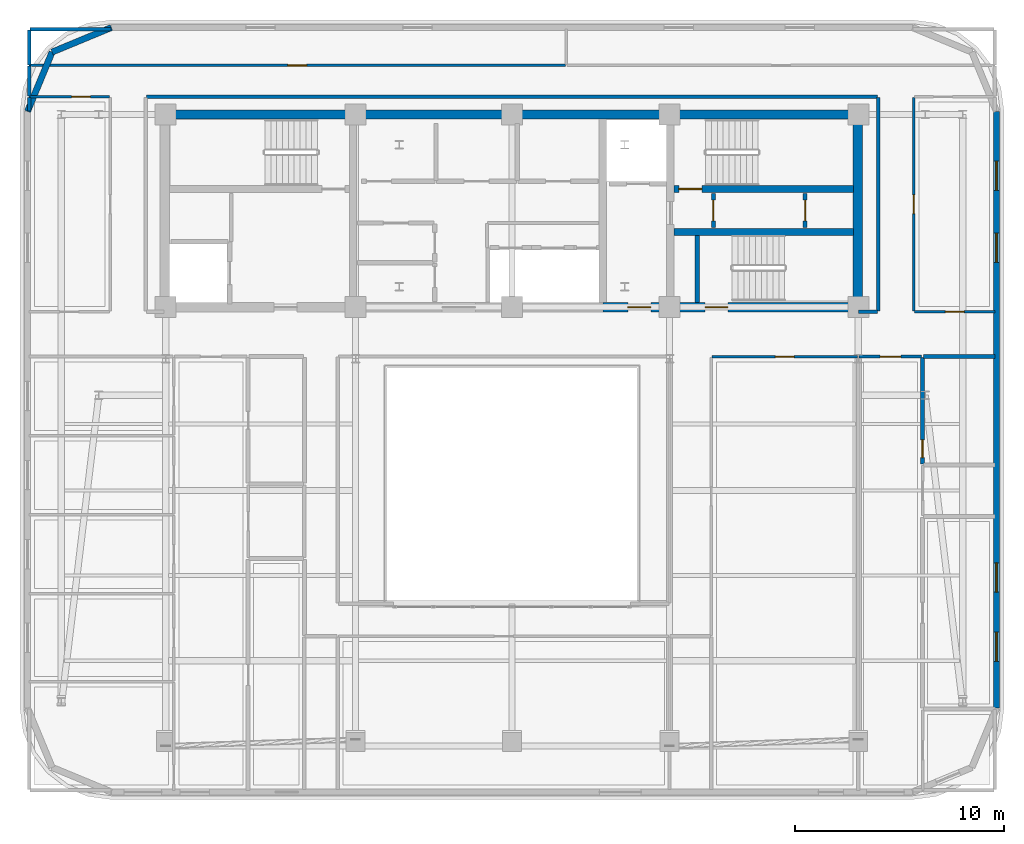
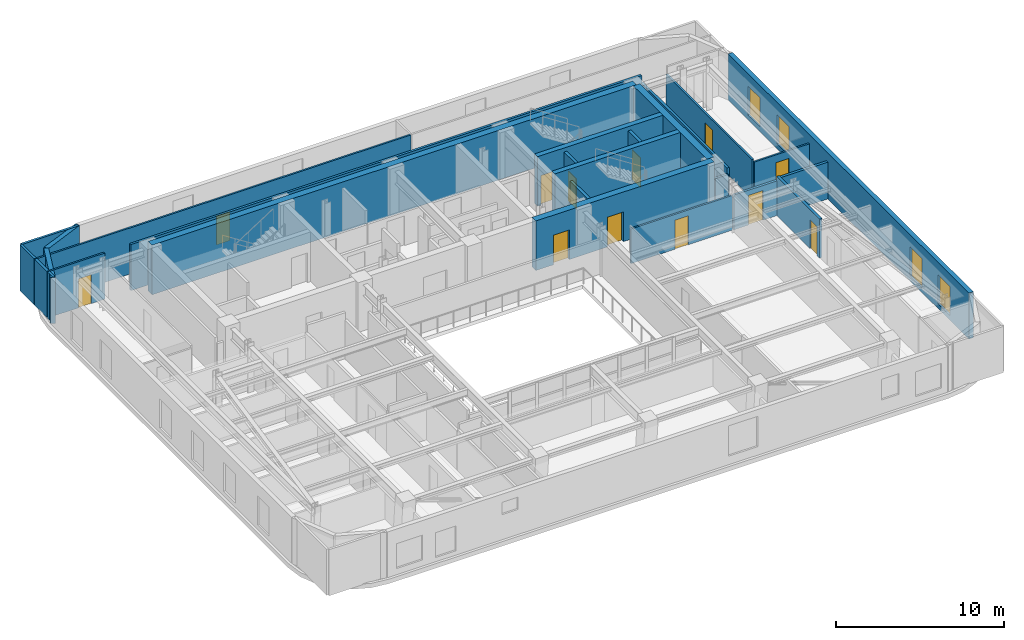
# One storey, part 9 of 14: 26 walls, 12 doors, 4 windows, 16 openings.
"""IFC4 building model written with IfcOpenShell, lengths in metres."""

from ifc_helpers import new_model, si_unit, direction, frame, frame_2d, origin, place, context, subcontext, project, spatial, rectangle, extrude, material, layer, layer_set, type_object, element, fill, save


model = new_model("IFC4")

# Units and contexts
model_context = context("Model", 3, precision=1e-05, world=origin(), true_north=direction((0.0, 1.0)))
body_context = subcontext(model_context, "Body", "Model", "MODEL_VIEW")
ifc_project = project(units=[si_unit("LENGTHUNIT", "METRE"), si_unit("AREAUNIT", "SQUARE_METRE"), si_unit("VOLUMEUNIT", "CUBIC_METRE"), si_unit("PLANEANGLEUNIT", "RADIAN"), si_unit("MASSUNIT", "GRAM", prefix="KILO")], contexts=[model_context])

# Site, building, storey
site_placement = place(None, origin())
site = spatial("IfcSite", under=ifc_project, at=site_placement, CompositionType="ELEMENT")
building_placement = place(site_placement, origin())
building = spatial("IfcBuilding", under=site, at=building_placement, Name="Zarnavel Station Tower", CompositionType="ELEMENT")
storey_placement = place(building_placement, frame((0.0, 0.0, 211.199951171875)))
storey = spatial("IfcBuildingStorey", under=building, at=storey_placement, Name="L57", CompositionType="ELEMENT", Elevation=211.199951171875)

# Wall, opening, door
ifc_material_1 = material(Name="Concrete C50/60", Category="concrete")
ifc_layer_1 = layer(ifc_material_1, 0.35009765625)
ifc_layer_set_1 = layer_set([ifc_layer_1], Name="CW_350")
wall_type_1 = type_object("IfcWallType", Name="CW_350", PredefinedType="SHEAR", material=ifc_layer_set_1)
wall_1_placement = place(storey_placement, frame((45.155029296875, 33.47998046875, 0.0), z_axis=(0.0, 0.0, 1.0), x_axis=(-1.0, 0.0, 0.0)))
wall_1 = element("IfcWall", 1, at=wall_1_placement, inside=storey, type_object=wall_type_1, Name="L57 Rear Core Shear Wall DIV-H2", PredefinedType="SHEAR", context=body_context, shape_type="SweptSolid", body=[
    extrude(rectangle(XDim=8.60009765625, YDim=0.35009765625, at=frame_2d((4.300048828125, 0.0))), origin(), (0.0, 0.0, 1.0), 3.60009765625),
])
opening_1_placement = place(wall_1_placement, frame((7.2548828125, 0.0, 0.0)))
opening_1 = element("IfcOpeningElement", 2, at=opening_1_placement, cuts=wall_1, Name="Opening FD01", PredefinedType="OPENING", context=body_context, shape_type="SweptSolid", body=[
    extrude(rectangle(XDim=1.10009765625, YDim=2.14990234375, at=frame_2d((0.550048828125, 1.074951171875))), frame((0.0, 0.18505859375, 0.0), z_axis=(0.0, -1.0, 0.0), x_axis=(1.0, 0.0, 0.0)), (0.0, 0.0, 1.0), 0.3701171875),
])
ifc_material_2 = material(Name="Painted Galvanised Steel and Hardwood Leaf", Category="steel")
door_type_1 = type_object("IfcDoorType", Name="ID_STAIR_1100", OperationType="NOTDEFINED", PredefinedType="DOOR", material=ifc_material_2)
door_1_placement = place(opening_1_placement, origin())
door_1 = element("IfcDoor", 3, at=door_1_placement, inside=storey, type_object=door_type_1, Name="L57 Stair ST2 Lobby Fire Door", OperationType="SINGLE_SWING_RIGHT", OverallHeight=2.14990234375, OverallWidth=1.10009765625, PredefinedType="DOOR", context=body_context, shape_type="SweptSolid", body=[
    extrude(rectangle(XDim=1.10009765625, YDim=2.14990234375, at=frame_2d((0.550048828125, 1.074951171875))), frame((0.0, 0.02490234375, 0.0), z_axis=(0.0, -1.0, 0.0), x_axis=(1.0, 0.0, 0.0)), (0.0, 0.0, 1.0), 0.050048828125),
])
fill(opening_1, door_1)

# Walls
wall_2_placement = place(storey_placement, frame((36.554931640625, 31.419921875, 0.0), z_axis=(0.0, 0.0, 1.0), x_axis=(1.0, 0.0, 0.0)))
element("IfcWall", 4, at=wall_2_placement, inside=storey, type_object=wall_type_1, Name="L57 Rear Core Shear Wall DIV-H3", PredefinedType="SHEAR", context=body_context, shape_type="SweptSolid", body=[
    extrude(rectangle(XDim=8.60009765625, YDim=0.35009765625, at=frame_2d((4.300048828125, 0.0))), origin(), (0.0, 0.0, 1.0), 3.60009765625),
])
ifc_material_3 = material(Name="Concrete C50/60", Category="concrete")
ifc_layer_2 = layer(ifc_material_3, 0.449951171875)
ifc_layer_set_2 = layer_set([ifc_layer_2], Name="CW_450")
wall_type_2 = type_object("IfcWallType", Name="CW_450", PredefinedType="SHEAR", material=ifc_layer_set_2)
wall_3_placement = place(storey_placement, frame((12.14990234375, 37.050048828125, 0.0), z_axis=(0.0, 0.0, 1.0), x_axis=(1.0, 0.0, 0.0)))
element("IfcWall", 5, at=wall_3_placement, inside=storey, type_object=wall_type_2, Name="L57 Rear Core Shear Wall N", PredefinedType="SHEAR", context=body_context, shape_type="SweptSolid", body=[
    extrude(rectangle(XDim=33.22998046875, YDim=0.449951171875, at=frame_2d((16.614990234375, 0.0))), origin(), (0.0, 0.0, 1.0), 3.60009765625),
])

# Wall, openings, doors
wall_4_placement = place(storey_placement, frame((45.3798828125, 27.820068359375, 0.0), z_axis=(0.0, 0.0, 1.0), x_axis=(-1.0, 0.0, 0.0)))
wall_4 = element("IfcWall", 6, at=wall_4_placement, inside=storey, type_object=wall_type_2, Name="L57 Rear Core Shear Wall S-E", PredefinedType="SHEAR", context=body_context, shape_type="SweptSolid", body=[
    extrude(rectangle(XDim=12.22998046875, YDim=0.449951171875, at=frame_2d((6.114990234375, 0.0))), origin(), (0.0, 0.0, 1.0), 3.60009765625),
])
opening_2_placement = place(wall_4_placement, frame((9.929931640625, 0.0, 0.0)))
opening_2 = element("IfcOpeningElement", 7, at=opening_2_placement, cuts=wall_4, Name="Opening FD01", PredefinedType="OPENING", context=body_context, shape_type="SweptSolid", body=[
    extrude(rectangle(XDim=1.10009765625, YDim=2.14990234375, at=frame_2d((0.550048828125, 1.074951171875))), frame((0.0, 0.23486328125, 0.0), z_axis=(0.0, -1.0, 0.0), x_axis=(1.0, 0.0, 0.0)), (0.0, 0.0, 1.0), 0.469970703125),
])
opening_3_placement = place(wall_4_placement, frame((6.22998046875, 0.0, 0.0)))
opening_3 = element("IfcOpeningElement", 8, at=opening_3_placement, cuts=wall_4, Name="Opening FD01", PredefinedType="OPENING", context=body_context, shape_type="SweptSolid", body=[
    extrude(rectangle(XDim=1.10009765625, YDim=2.14990234375, at=frame_2d((0.550048828125, 1.074951171875))), frame((0.0, 0.23486328125, 0.0), z_axis=(0.0, -1.0, 0.0), x_axis=(1.0, 0.0, 0.0)), (0.0, 0.0, 1.0), 0.469970703125),
])
door_2_placement = place(opening_2_placement, origin())
door_2 = element("IfcDoor", 9, at=door_2_placement, inside=storey, type_object=door_type_1, Name="L57 East Firefighting Lobby Door", OperationType="SINGLE_SWING_LEFT", OverallHeight=2.14990234375, OverallWidth=1.10009765625, PredefinedType="DOOR", context=body_context, shape_type="SweptSolid", body=[
    extrude(rectangle(XDim=1.10009765625, YDim=2.14990234375, at=frame_2d((0.550048828125, 1.074951171875))), frame((0.0, 0.02490234375, 0.0), z_axis=(0.0, -1.0, 0.0), x_axis=(1.0, 0.0, 0.0)), (0.0, 0.0, 1.0), 0.050048828125),
])
fill(opening_2, door_2)
door_3_placement = place(opening_3_placement, origin())
door_3 = element("IfcDoor", 10, at=door_3_placement, inside=storey, type_object=door_type_1, Name="L57 Stair ST3 Corridor Fire Door", OperationType="SINGLE_SWING_RIGHT", OverallHeight=2.14990234375, OverallWidth=1.10009765625, PredefinedType="DOOR", context=body_context, shape_type="SweptSolid", body=[
    extrude(rectangle(XDim=1.10009765625, YDim=2.14990234375, at=frame_2d((0.550048828125, 1.074951171875))), frame((0.0, 0.02490234375, 0.0), z_axis=(0.0, -1.0, 0.0), x_axis=(1.0, 0.0, 0.0)), (0.0, 0.0, 1.0), 0.050048828125),
])
fill(opening_3, door_3)

# Wall
wall_5_placement = place(storey_placement, frame((45.3798828125, 28.044921875, 0.0), z_axis=(0.0, 0.0, 1.0), x_axis=(0.0, 1.0, 0.0)))
element("IfcWall", 11, at=wall_5_placement, inside=storey, type_object=wall_type_2, Name="L57 Rear Core Shear Wall E", PredefinedType="SHEAR", context=body_context, shape_type="SweptSolid", body=[
    extrude(rectangle(XDim=8.780029296875, YDim=0.449951171875, at=frame_2d((4.39013671875, 0.0))), origin(), (0.0, 0.0, 1.0), 3.60009765625),
])

# Wall, openings, windows
ifc_material_4 = material(Name="Precast concrete C45/55 (Dark Basalt Finish)", Category="masonry")
ifc_layer_3 = layer(ifc_material_4, 0.300048828125)
ifc_layer_set_3 = layer_set([ifc_layer_3], Name="EW_BASALT_300")
wall_type_3 = type_object("IfcWallType", Name="EW_BASALT_300", PredefinedType="SOLIDWALL", material=ifc_layer_set_3)
wall_6_placement = place(storey_placement, frame((52.02001953125, 37.199951171875, 0.0), z_axis=(0.0, 0.0, 1.0), x_axis=(0.0, -1.0, 0.0)))
wall_6 = element("IfcWall", 12, at=wall_6_placement, inside=storey, type_object=wall_type_3, Name="L57 Exterior Basalt Masonry Frame Wall 03", PredefinedType="SOLIDWALL", context=body_context, shape_type="SweptSolid", body=[
    extrude(rectangle(XDim=28.599853515625, YDim=0.300048828125, at=frame_2d((14.2998046875, 0.0))), origin(), (0.0, 0.0, 1.0), 3.340087890625),
])
opening_4_placement = place(wall_6_placement, frame((2.3798828125, 0.0, 0.340087890625)))
opening_4 = element("IfcOpeningElement", 13, at=opening_4_placement, cuts=wall_6, Name="Opening WN04", PredefinedType="OPENING", context=body_context, shape_type="SweptSolid", body=[
    extrude(rectangle(XDim=1.39990234375, YDim=2.10009765625, at=frame_2d((0.699951171875, 1.050048828125))), frame((0.0, 0.159912109375, 0.0), z_axis=(0.0, -1.0, 0.0), x_axis=(1.0, 0.0, 0.0)), (0.0, 0.0, 1.0), 0.320068359375),
])
opening_5_placement = place(wall_6_placement, frame((5.840087890625, 0.0, 0.340087890625)))
opening_5 = element("IfcOpeningElement", 14, at=opening_5_placement, cuts=wall_6, Name="Opening WN04", PredefinedType="OPENING", context=body_context, shape_type="SweptSolid", body=[
    extrude(rectangle(XDim=1.39990234375, YDim=2.10009765625, at=frame_2d((0.699951171875, 1.050048828125))), frame((0.0, 0.159912109375, 0.0), z_axis=(0.0, -1.0, 0.0), x_axis=(1.0, 0.0, 0.0)), (0.0, 0.0, 1.0), 0.320068359375),
])
opening_6_placement = place(wall_6_placement, frame((21.634765625, 0.0, 0.340087890625)))
opening_6 = element("IfcOpeningElement", 15, at=opening_6_placement, cuts=wall_6, Name="Opening WN04", PredefinedType="OPENING", context=body_context, shape_type="SweptSolid", body=[
    extrude(rectangle(XDim=1.39990234375, YDim=2.10009765625, at=frame_2d((0.699951171875, 1.050048828125))), frame((0.0, 0.159912109375, 0.0), z_axis=(0.0, -1.0, 0.0), x_axis=(1.0, 0.0, 0.0)), (0.0, 0.0, 1.0), 0.320068359375),
])
opening_7_placement = place(wall_6_placement, frame((24.957275390625, 0.0, 0.340087890625)))
opening_7 = element("IfcOpeningElement", 16, at=opening_7_placement, cuts=wall_6, Name="Opening WN04", PredefinedType="OPENING", context=body_context, shape_type="SweptSolid", body=[
    extrude(rectangle(XDim=1.39990234375, YDim=2.10009765625, at=frame_2d((0.699951171875, 1.050048828125))), frame((0.0, 0.159912109375, 0.0), z_axis=(0.0, -1.0, 0.0), x_axis=(1.0, 0.0, 0.0)), (0.0, 0.0, 1.0), 0.320068359375),
])
ifc_material_5 = material(Name="Thermally Broken Black Aluminium and Low-E Dark Glass", Category="aluminium")
window_type = type_object("IfcWindowType", Name="WN_1400x2100", PartitioningType="DOUBLE_PANEL_VERTICAL", PredefinedType="WINDOW", material=ifc_material_5)
window_1_placement = place(opening_4_placement, origin())
window_1 = element("IfcWindow", 17, at=window_1_placement, inside=storey, type_object=window_type, Name="L57 Recessed Facade Window 01", OverallHeight=2.10009765625, OverallWidth=1.39990234375, PartitioningType="SINGLE_PANEL", PredefinedType="WINDOW", context=body_context, shape_type="SweptSolid", body=[
    extrude(rectangle(XDim=1.39990234375, YDim=2.10009765625, at=frame_2d((0.699951171875, 1.050048828125))), frame((0.0, 0.030029296875, 0.0), z_axis=(0.0, -1.0, 0.0), x_axis=(1.0, 0.0, 0.0)), (0.0, 0.0, 1.0), 0.06005859375),
])
fill(opening_4, window_1)
window_2_placement = place(opening_5_placement, origin())
window_2 = element("IfcWindow", 18, at=window_2_placement, inside=storey, type_object=window_type, Name="L57 Recessed Facade Window 02", OverallHeight=2.10009765625, OverallWidth=1.39990234375, PartitioningType="SINGLE_PANEL", PredefinedType="WINDOW", context=body_context, shape_type="SweptSolid", body=[
    extrude(rectangle(XDim=1.39990234375, YDim=2.10009765625, at=frame_2d((0.699951171875, 1.050048828125))), frame((0.0, 0.030029296875, 0.0), z_axis=(0.0, -1.0, 0.0), x_axis=(1.0, 0.0, 0.0)), (0.0, 0.0, 1.0), 0.06005859375),
])
fill(opening_5, window_2)
window_3_placement = place(opening_6_placement, origin())
window_3 = element("IfcWindow", 19, at=window_3_placement, inside=storey, type_object=window_type, Name="L57 Recessed Facade Window 03", OverallHeight=2.10009765625, OverallWidth=1.39990234375, PartitioningType="SINGLE_PANEL", PredefinedType="WINDOW", context=body_context, shape_type="SweptSolid", body=[
    extrude(rectangle(XDim=1.39990234375, YDim=2.10009765625, at=frame_2d((0.699951171875, 1.050048828125))), frame((0.0, 0.030029296875, 0.0), z_axis=(0.0, -1.0, 0.0), x_axis=(1.0, 0.0, 0.0)), (0.0, 0.0, 1.0), 0.06005859375),
])
fill(opening_6, window_3)
window_4_placement = place(opening_7_placement, origin())
window_4 = element("IfcWindow", 20, at=window_4_placement, inside=storey, type_object=window_type, Name="L57 Recessed Facade Window 04", OverallHeight=2.10009765625, OverallWidth=1.39990234375, PartitioningType="SINGLE_PANEL", PredefinedType="WINDOW", context=body_context, shape_type="SweptSolid", body=[
    extrude(rectangle(XDim=1.39990234375, YDim=2.10009765625, at=frame_2d((0.699951171875, 1.050048828125))), frame((0.0, 0.030029296875, 0.0), z_axis=(0.0, -1.0, 0.0), x_axis=(1.0, 0.0, 0.0)), (0.0, 0.0, 1.0), 0.06005859375),
])
fill(opening_7, window_4)

# Walls
wall_7_placement = place(storey_placement, frame((6.75732421875, 40.04248046875, 0.0), z_axis=(0.0, 0.0, 1.0), x_axis=(0.923882414032, 0.382676475685, 0.0)))
element("IfcWall", 21, at=wall_7_placement, inside=storey, type_object=wall_type_3, Name="L57 Exterior Basalt Masonry Frame Wall 07", PredefinedType="SOLIDWALL", context=body_context, shape_type="SweptSolid", body=[
    extrude(rectangle(XDim=3.076904296875, YDim=0.300048828125, at=frame_2d((1.53857421875, 0.0))), origin(), (0.0, 0.0, 1.0), 3.340087890625),
])
wall_8_placement = place(storey_placement, frame((5.580078125, 37.199951171875, 0.0), z_axis=(0.0, 0.0, 1.0), x_axis=(0.382636798336, 0.92389884758, 0.0)))
element("IfcWall", 22, at=wall_8_placement, inside=storey, type_object=wall_type_3, Name="L57 Exterior Basalt Masonry Frame Wall 08", PredefinedType="SOLIDWALL", context=body_context, shape_type="SweptSolid", body=[
    extrude(rectangle(XDim=3.07666015625, YDim=0.300048828125, at=frame_2d((1.538330078125, 0.0))), origin(), (0.0, 0.0, 1.0), 3.340087890625),
])

# Wall, opening, door
ifc_material_6 = material(Name="Gypsum Twin-Stud Acoustic Fire Partition", Category="concrete")
ifc_layer_4 = layer(ifc_material_6, 0.159912109375)
ifc_layer_set_4 = layer_set([ifc_layer_4], Name="PT_DEMISE_160")
wall_type_4 = type_object("IfcWallType", Name="PT_DEMISE_160", PredefinedType="PARTITIONING", material=ifc_layer_set_4)
wall_9_placement = place(storey_placement, frame((45.43994140625, 25.449951171875, 0.0), z_axis=(0.0, 0.0, 1.0), x_axis=(1.0, 0.0, 0.0)))
wall_9 = element("IfcWall", 23, at=wall_9_placement, inside=storey, type_object=wall_type_4, Name="L57 Partition COR-S-UE1LV", PredefinedType="PARTITIONING", context=body_context, shape_type="SweptSolid", body=[
    extrude(rectangle(XDim=2.994140625, YDim=0.159912109375, at=frame_2d((1.4970703125, 0.0))), origin(), (0.0, 0.0, 1.0), 2.52001953125),
])
opening_8_placement = place(wall_9_placement, frame((0.9970703125, 0.0, 0.0)))
opening_8 = element("IfcOpeningElement", 24, at=opening_8_placement, cuts=wall_9, Name="Opening FD02", PredefinedType="OPENING", context=body_context, shape_type="SweptSolid", body=[
    extrude(rectangle(XDim=1.0, YDim=2.14990234375, at=frame_2d((0.5, 1.074951171875))), frame((0.0, 0.08984375, 0.0), z_axis=(0.0, -1.0, 0.0), x_axis=(1.0, 0.0, 0.0)), (0.0, 0.0, 1.0), 0.179931640625),
])
ifc_material_7 = material(Name="Painted Galvanised Steel and Hardwood Leaf", Category="steel")
door_type_2 = type_object("IfcDoorType", Name="ID_ENTRY_1000", OperationType="NOTDEFINED", PredefinedType="DOOR", material=ifc_material_7)
door_4_placement = place(opening_8_placement, origin())
door_4 = element("IfcDoor", 25, at=door_4_placement, inside=storey, type_object=door_type_2, Name="L57 Door COR-S-UE1LV", OperationType="SINGLE_SWING_LEFT", OverallHeight=2.14990234375, OverallWidth=1.0, PredefinedType="DOOR", context=body_context, shape_type="SweptSolid", body=[
    extrude(rectangle(XDim=1.0, YDim=2.14990234375, at=frame_2d((0.5, 1.074951171875))), frame((0.0, 0.02490234375, 0.0), z_axis=(0.0, -1.0, 0.0), x_axis=(1.0, 0.0, 0.0)), (0.0, 0.0, 1.0), 0.050048828125),
])
fill(opening_8, door_4)

# Walls
wall_10_placement = place(storey_placement, frame((45.409912109375, 27.60009765625, 0.0), z_axis=(0.0, 0.0, 1.0), x_axis=(1.0, 0.0, 0.0)))
element("IfcWall", 26, at=wall_10_placement, inside=storey, type_object=wall_type_4, Name="L57 Enclosure Wall COR-S", PredefinedType="PARTITIONING", context=body_context, shape_type="SweptSolid", body=[
    extrude(rectangle(XDim=0.91015625, YDim=0.159912109375, at=frame_2d((0.455078125, 0.0))), origin(), (0.0, 0.0, 1.0), 2.41015625),
])
wall_11_placement = place(storey_placement, frame((46.35009765625, 27.6298828125, 0.0), z_axis=(0.0, 0.0, 1.0), x_axis=(0.0, 1.0, 0.0)))
element("IfcWall", 27, at=wall_11_placement, inside=storey, type_object=wall_type_4, Name="L57 Enclosure Wall COR-E", PredefinedType="PARTITIONING", context=body_context, shape_type="SweptSolid", body=[
    extrude(rectangle(XDim=10.240234375, YDim=0.159912109375, at=frame_2d((5.1201171875, 0.0))), origin(), (0.0, 0.0, 1.0), 2.820068359375),
])
wall_12_placement = place(storey_placement, frame((11.280029296875, 37.89990234375, 0.0), z_axis=(0.0, 0.0, 1.0), x_axis=(1.0, 0.0, 0.0)))
element("IfcWall", 28, at=wall_12_placement, inside=storey, type_object=wall_type_4, Name="L57 Enclosure Wall COR-N", PredefinedType="PARTITIONING", context=body_context, shape_type="SweptSolid", body=[
    extrude(rectangle(XDim=35.0400390625, YDim=0.159912109375, at=frame_2d((17.52001953125, 0.0))), origin(), (0.0, 0.0, 1.0), 3.340087890625),
])
wall_13_placement = place(storey_placement, frame((5.659912109375, 37.929931640625, 0.0), z_axis=(0.0, 0.0, 1.0), x_axis=(0.0, 1.0, 0.0)))
element("IfcWall", 29, at=wall_13_placement, inside=storey, type_object=wall_type_4, Name="L57 Enclosure Wall COR-N", PredefinedType="PARTITIONING", context=body_context, shape_type="SweptSolid", body=[
    extrude(rectangle(XDim=1.440185546875, YDim=0.159912109375, at=frame_2d((0.72021484375, 0.0))), origin(), (0.0, 0.0, 1.0), 3.340087890625),
])
wall_14_placement = place(storey_placement, frame((5.659912109375, 37.22998046875, 0.0), z_axis=(0.0, 0.0, 1.0), x_axis=(0.0, 1.0, 0.0)))
element("IfcWall", 30, at=wall_14_placement, inside=storey, type_object=wall_type_4, Name="L57 Enclosure Wall FNW", PredefinedType="PARTITIONING", context=body_context, shape_type="SweptSolid", body=[
    extrude(rectangle(XDim=0.64013671875, YDim=0.159912109375, at=frame_2d((0.320068359375, 0.0))), origin(), (0.0, 0.0, 1.0), 3.340087890625),
])
wall_15_placement = place(storey_placement, frame((5.68994140625, 41.139892578125, 0.0), z_axis=(0.0, 0.0, 1.0), x_axis=(1.0, 0.0, 0.0)))
element("IfcWall", 31, at=wall_15_placement, inside=storey, type_object=wall_type_4, Name="L57 Enclosure Wall NGYM", PredefinedType="PARTITIONING", context=body_context, shape_type="SweptSolid", body=[
    extrude(rectangle(XDim=3.880126953125, YDim=0.159912109375, at=frame_2d((1.93994140625, 0.0))), origin(), (0.0, 0.0, 1.0), 3.340087890625),
])
wall_16_placement = place(storey_placement, frame((5.659912109375, 39.429931640625, 0.0), z_axis=(0.0, 0.0, 1.0), x_axis=(0.0, 1.0, 0.0)))
element("IfcWall", 32, at=wall_16_placement, inside=storey, type_object=wall_type_4, Name="L57 Enclosure Wall NGYM", PredefinedType="PARTITIONING", context=body_context, shape_type="SweptSolid", body=[
    extrude(rectangle(XDim=1.68017578125, YDim=0.159912109375, at=frame_2d((0.840087890625, 0.0))), origin(), (0.0, 0.0, 1.0), 3.340087890625),
])

# Wall, opening, door
ifc_material_8 = material(Name="Gypsum Metal-Stud Interior Partition", Category="concrete")
ifc_layer_5 = layer(ifc_material_8, 0.1201171875)
ifc_layer_set_5 = layer_set([ifc_layer_5], Name="PT_ROOM_120")
wall_type_5 = type_object("IfcWallType", Name="PT_ROOM_120", PredefinedType="PARTITIONING", material=ifc_layer_set_5)
wall_17_placement = place(storey_placement, frame((48.090087890625, 27.60009765625, 0.0), z_axis=(0.0, 0.0, 1.0), x_axis=(1.0, 0.0, 0.0)))
wall_17 = element("IfcWall", 33, at=wall_17_placement, inside=storey, type_object=wall_type_5, Name="L57 Partition COR-S-FNE", PredefinedType="PARTITIONING", context=body_context, shape_type="SweptSolid", body=[
    extrude(rectangle(XDim=3.849853515625, YDim=0.1201171875, at=frame_2d((1.9248046875, 0.0))), origin(), (0.0, 0.0, 1.0), 2.670166015625),
])
opening_9_placement = place(wall_17_placement, frame((1.47509765625, 0.0, 0.0)))
opening_9 = element("IfcOpeningElement", 34, at=opening_9_placement, cuts=wall_17, Name="Opening ID01", PredefinedType="OPENING", context=body_context, shape_type="SweptSolid", body=[
    extrude(rectangle(XDim=0.89990234375, YDim=2.10009765625, at=frame_2d((0.449951171875, 1.050048828125))), frame((0.0, 0.070068359375, 0.0), z_axis=(0.0, -1.0, 0.0), x_axis=(1.0, 0.0, 0.0)), (0.0, 0.0, 1.0), 0.14013671875),
])
ifc_material_9 = material(Name="Painted Galvanised Steel and Hardwood Leaf", Category="steel")
door_type_3 = type_object("IfcDoorType", Name="ID_ROOM_900", OperationType="NOTDEFINED", PredefinedType="DOOR", material=ifc_material_9)
door_5_placement = place(opening_9_placement, origin())
door_5 = element("IfcDoor", 35, at=door_5_placement, inside=storey, type_object=door_type_3, Name="L57 Door COR-S-FNE", OperationType="SINGLE_SWING_RIGHT", OverallHeight=2.10009765625, OverallWidth=0.89990234375, PredefinedType="DOOR", context=body_context, shape_type="SweptSolid", body=[
    extrude(rectangle(XDim=0.89990234375, YDim=2.10009765625, at=frame_2d((0.449951171875, 1.050048828125))), frame((0.0, 0.02490234375, 0.0), z_axis=(0.0, -1.0, 0.0), x_axis=(1.0, 0.0, 0.0)), (0.0, 0.0, 1.0), 0.050048828125),
])
fill(opening_9, door_5)

wall_18_placement = place(storey_placement, frame((38.389892578125, 25.449951171875, 0.0), z_axis=(0.0, 0.0, 1.0), x_axis=(1.0, 0.0, 0.0)))
wall_18 = element("IfcWall", 36, at=wall_18_placement, inside=storey, type_object=wall_type_5, Name="L57 Partition COR-S-L57FIT", PredefinedType="PARTITIONING", context=body_context, shape_type="SweptSolid", body=[
    extrude(rectangle(XDim=6.97021484375, YDim=0.1201171875, at=frame_2d((3.485107421875, 0.0))), origin(), (0.0, 0.0, 1.0), 2.52001953125),
])
opening_10_placement = place(wall_18_placement, frame((3.034912109375, 0.0, 0.0)))
opening_10 = element("IfcOpeningElement", 37, at=opening_10_placement, cuts=wall_18, Name="Opening ID01", PredefinedType="OPENING", context=body_context, shape_type="SweptSolid", body=[
    extrude(rectangle(XDim=0.89990234375, YDim=2.10009765625, at=frame_2d((0.449951171875, 1.050048828125))), frame((0.0, 0.070068359375, 0.0), z_axis=(0.0, -1.0, 0.0), x_axis=(1.0, 0.0, 0.0)), (0.0, 0.0, 1.0), 0.14013671875),
])
door_6_placement = place(opening_10_placement, origin())
door_6 = element("IfcDoor", 38, at=door_6_placement, inside=storey, type_object=door_type_3, Name="L57 Door COR-S-L57FIT", OperationType="SINGLE_SWING_RIGHT", OverallHeight=2.10009765625, OverallWidth=0.89990234375, PredefinedType="DOOR", context=body_context, shape_type="SweptSolid", body=[
    extrude(rectangle(XDim=0.89990234375, YDim=2.10009765625, at=frame_2d((0.449951171875, 1.050048828125))), frame((0.0, 0.02490234375, 0.0), z_axis=(0.0, -1.0, 0.0), x_axis=(1.0, 0.0, 0.0)), (0.0, 0.0, 1.0), 0.050048828125),
])
fill(opening_10, door_6)

wall_19_placement = place(storey_placement, frame((48.050048828125, 27.639892578125, 0.0), z_axis=(0.0, 0.0, 1.0), x_axis=(0.0, 1.0, 0.0)))
wall_19 = element("IfcWall", 39, at=wall_19_placement, inside=storey, type_object=wall_type_5, Name="L57 Partition COR-E-FNE", PredefinedType="PARTITIONING", context=body_context, shape_type="SweptSolid", body=[
    extrude(rectangle(XDim=10.22021484375, YDim=0.1201171875, at=frame_2d((5.110107421875, 0.0))), origin(), (0.0, 0.0, 1.0), 2.820068359375),
])
opening_11_placement = place(wall_19_placement, frame((4.659912109375, 0.0, 0.0)))
opening_11 = element("IfcOpeningElement", 40, at=opening_11_placement, cuts=wall_19, Name="Opening ID01", PredefinedType="OPENING", context=body_context, shape_type="SweptSolid", body=[
    extrude(rectangle(XDim=0.89990234375, YDim=2.10009765625, at=frame_2d((0.449951171875, 1.050048828125))), frame((0.0, 0.070068359375, 0.0), z_axis=(0.0, -1.0, 0.0), x_axis=(1.0, 0.0, 0.0)), (0.0, 0.0, 1.0), 0.14013671875),
])
door_7_placement = place(opening_11_placement, origin())
door_7 = element("IfcDoor", 41, at=door_7_placement, inside=storey, type_object=door_type_3, Name="L57 Door COR-E-FNE", OperationType="SINGLE_SWING_LEFT", OverallHeight=2.10009765625, OverallWidth=0.89990234375, PredefinedType="DOOR", context=body_context, shape_type="SweptSolid", body=[
    extrude(rectangle(XDim=0.89990234375, YDim=2.10009765625, at=frame_2d((0.449951171875, 1.050048828125))), frame((0.0, 0.02490234375, 0.0), z_axis=(0.0, -1.0, 0.0), x_axis=(1.0, 0.0, 0.0)), (0.0, 0.0, 1.0), 0.050048828125),
])
fill(opening_11, door_7)

wall_20_placement = place(storey_placement, frame((5.659912109375, 37.89990234375, 0.0), z_axis=(0.0, 0.0, 1.0), x_axis=(1.0, 0.0, 0.0)))
wall_20 = element("IfcWall", 42, at=wall_20_placement, inside=storey, type_object=wall_type_5, Name="L57 Partition COR-N-FNW", PredefinedType="PARTITIONING", context=body_context, shape_type="SweptSolid", body=[
    extrude(rectangle(XDim=3.85009765625, YDim=0.1201171875, at=frame_2d((1.925048828125, 0.0))), origin(), (0.0, 0.0, 1.0), 3.340087890625),
])
opening_12_placement = place(wall_20_placement, frame((2.03125, 0.0, 0.0)))
opening_12 = element("IfcOpeningElement", 43, at=opening_12_placement, cuts=wall_20, Name="Opening ID01", PredefinedType="OPENING", context=body_context, shape_type="SweptSolid", body=[
    extrude(rectangle(XDim=0.89990234375, YDim=2.10009765625, at=frame_2d((0.449951171875, 1.050048828125))), frame((0.0, 0.070068359375, 0.0), z_axis=(0.0, -1.0, 0.0), x_axis=(1.0, 0.0, 0.0)), (0.0, 0.0, 1.0), 0.14013671875),
])
door_8_placement = place(opening_12_placement, origin())
door_8 = element("IfcDoor", 44, at=door_8_placement, inside=storey, type_object=door_type_3, Name="L57 Door COR-N-FNW", OperationType="SINGLE_SWING_RIGHT", OverallHeight=2.10009765625, OverallWidth=0.89990234375, PredefinedType="DOOR", context=body_context, shape_type="SweptSolid", body=[
    extrude(rectangle(XDim=0.89990234375, YDim=2.10009765625, at=frame_2d((0.449951171875, 1.050048828125))), frame((0.0, 0.02490234375, 0.0), z_axis=(0.0, -1.0, 0.0), x_axis=(1.0, 0.0, 0.0)), (0.0, 0.0, 1.0), 0.050048828125),
])
fill(opening_12, door_8)

wall_21_placement = place(storey_placement, frame((5.659912109375, 39.39990234375, 0.0), z_axis=(0.0, 0.0, 1.0), x_axis=(1.0, 0.0, 0.0)))
wall_21 = element("IfcWall", 45, at=wall_21_placement, inside=storey, type_object=wall_type_5, Name="L57 Partition COR-N-NGYM", PredefinedType="PARTITIONING", context=body_context, shape_type="SweptSolid", body=[
    extrude(rectangle(XDim=25.7001953125, YDim=0.1201171875, at=frame_2d((12.85009765625, 0.0))), origin(), (0.0, 0.0, 1.0), 3.340087890625),
])
opening_13_placement = place(wall_21_placement, frame((12.39990234375, 0.0, 0.0)))
opening_13 = element("IfcOpeningElement", 46, at=opening_13_placement, cuts=wall_21, Name="Opening ID01", PredefinedType="OPENING", context=body_context, shape_type="SweptSolid", body=[
    extrude(rectangle(XDim=0.89990234375, YDim=2.10009765625, at=frame_2d((0.449951171875, 1.050048828125))), frame((0.0, 0.070068359375, 0.0), z_axis=(0.0, -1.0, 0.0), x_axis=(1.0, 0.0, 0.0)), (0.0, 0.0, 1.0), 0.14013671875),
])
door_9_placement = place(opening_13_placement, origin())
door_9 = element("IfcDoor", 47, at=door_9_placement, inside=storey, type_object=door_type_3, Name="L57 Door COR-N-NGYM", OperationType="SINGLE_SWING_RIGHT", OverallHeight=2.10009765625, OverallWidth=0.89990234375, PredefinedType="DOOR", context=body_context, shape_type="SweptSolid", body=[
    extrude(rectangle(XDim=0.89990234375, YDim=2.10009765625, at=frame_2d((0.449951171875, 1.050048828125))), frame((0.0, 0.02490234375, 0.0), z_axis=(0.0, -1.0, 0.0), x_axis=(1.0, 0.0, 0.0)), (0.0, 0.0, 1.0), 0.050048828125),
])
fill(opening_13, door_9)

# Wall
ifc_material_10 = material(Name="Precast concrete C45/55 (Fire Shaft Blockwork)", Category="masonry")
ifc_layer_6 = layer(ifc_material_10, 0.199951171875)
ifc_layer_set_6 = layer_set([ifc_layer_6], Name="PT_SHAFT_200")
wall_type_6 = type_object("IfcWallType", Name="PT_SHAFT_200", PredefinedType="PARTITIONING", material=ifc_layer_set_6)
wall_22_placement = place(storey_placement, frame((37.679931640625, 28.044921875, 0.0), z_axis=(0.0, 0.0, 1.0), x_axis=(0.0, 1.0, 0.0)))
element("IfcWall", 48, at=wall_22_placement, inside=storey, type_object=wall_type_6, Name="L57 Stair ST3 West Shaft Wall", PredefinedType="PARTITIONING", context=body_context, shape_type="SweptSolid", body=[
    extrude(rectangle(XDim=3.205078125, YDim=0.199951171875, at=frame_2d((1.6025390625, 0.0))), origin(), (0.0, 0.0, 1.0), 2.719970703125),
])

# Wall, opening, door
wall_23_placement = place(storey_placement, frame((38.449951171875, 31.639892578125, 0.0), z_axis=(0.0, 0.0, 1.0), x_axis=(0.0, 1.0, 0.0)))
wall_23 = element("IfcWall", 49, at=wall_23_placement, inside=storey, type_object=wall_type_6, Name="L57 Partition ESTV-CEA", PredefinedType="PARTITIONING", context=body_context, shape_type="SweptSolid", body=[
    extrude(rectangle(XDim=1.6201171875, YDim=0.199951171875, at=frame_2d((0.81005859375, 0.0))), origin(), (0.0, 0.0, 1.0), 3.340087890625),
])
opening_14_placement = place(wall_23_placement, frame((0.31005859375, 0.0, 0.0)))
opening_14 = element("IfcOpeningElement", 50, at=opening_14_placement, cuts=wall_23, Name="Opening FD02", PredefinedType="OPENING", context=body_context, shape_type="SweptSolid", body=[
    extrude(rectangle(XDim=1.0, YDim=2.14990234375, at=frame_2d((0.5, 1.074951171875))), frame((0.0, 0.10986328125, 0.0), z_axis=(0.0, -1.0, 0.0), x_axis=(1.0, 0.0, 0.0)), (0.0, 0.0, 1.0), 0.219970703125),
])
door_10_placement = place(opening_14_placement, origin())
door_10 = element("IfcDoor", 51, at=door_10_placement, inside=storey, type_object=door_type_2, Name="L57 Door ESTV-CEA", OperationType="SINGLE_SWING_LEFT", OverallHeight=2.14990234375, OverallWidth=1.0, PredefinedType="DOOR", context=body_context, shape_type="SweptSolid", body=[
    extrude(rectangle(XDim=1.0, YDim=2.14990234375, at=frame_2d((0.5, 1.074951171875))), frame((0.0, 0.02490234375, 0.0), z_axis=(0.0, -1.0, 0.0), x_axis=(1.0, 0.0, 0.0)), (0.0, 0.0, 1.0), 0.050048828125),
])
fill(opening_14, door_10)

wall_24_placement = place(storey_placement, frame((42.85009765625, 31.639892578125, 0.0), z_axis=(0.0, 0.0, 1.0), x_axis=(0.0, 1.0, 0.0)))
wall_24 = element("IfcWall", 52, at=wall_24_placement, inside=storey, type_object=wall_type_6, Name="L57 Partition CEA-CEB", PredefinedType="PARTITIONING", context=body_context, shape_type="SweptSolid", body=[
    extrude(rectangle(XDim=1.6201171875, YDim=0.199951171875, at=frame_2d((0.81005859375, 0.0))), origin(), (0.0, 0.0, 1.0), 3.340087890625),
])
opening_15_placement = place(wall_24_placement, frame((0.31005859375, 0.0, 0.0)))
opening_15 = element("IfcOpeningElement", 53, at=opening_15_placement, cuts=wall_24, Name="Opening FD02", PredefinedType="OPENING", context=body_context, shape_type="SweptSolid", body=[
    extrude(rectangle(XDim=1.0, YDim=2.14990234375, at=frame_2d((0.5, 1.074951171875))), frame((0.0, 0.10986328125, 0.0), z_axis=(0.0, -1.0, 0.0), x_axis=(1.0, 0.0, 0.0)), (0.0, 0.0, 1.0), 0.219970703125),
])
door_11_placement = place(opening_15_placement, origin())
door_11 = element("IfcDoor", 54, at=door_11_placement, inside=storey, type_object=door_type_2, Name="L57 Door CEA-CEB", OperationType="SINGLE_SWING_RIGHT", OverallHeight=2.14990234375, OverallWidth=1.0, PredefinedType="DOOR", context=body_context, shape_type="SweptSolid", body=[
    extrude(rectangle(XDim=1.0, YDim=2.14990234375, at=frame_2d((0.5, 1.074951171875))), frame((0.0, 0.02490234375, 0.0), z_axis=(0.0, -1.0, 0.0), x_axis=(1.0, 0.0, 0.0)), (0.0, 0.0, 1.0), 0.050048828125),
])
fill(opening_15, door_11)

# Wall
ifc_material_11 = material(Name="Moisture-Resistant Plumbing Chase Wall", Category="concrete")
ifc_layer_7 = layer(ifc_material_11, 0.179931640625)
ifc_layer_set_7 = layer_set([ifc_layer_7], Name="PW_PLUMB_180")
wall_type_7 = type_object("IfcWallType", Name="PW_PLUMB_180", PredefinedType="PLUMBINGWALL", material=ifc_layer_set_7)
wall_25_placement = place(storey_placement, frame((48.513916015625, 25.449951171875, 0.0), z_axis=(0.0, 0.0, 1.0), x_axis=(1.0, 0.0, 0.0)))
element("IfcWall", 55, at=wall_25_placement, inside=storey, type_object=wall_type_7, Name="L57 Partition COR-S-UE1BA", PredefinedType="PLUMBINGWALL", context=body_context, shape_type="SweptSolid", body=[
    extrude(rectangle(XDim=3.426025390625, YDim=0.179931640625, at=frame_2d((1.712890625, 0.0))), origin(), (0.0, 0.0, 1.0), 2.670166015625),
])

# Wall, opening, door
wall_26_placement = place(storey_placement, frame((48.47412109375, 20.297119140625, 0.0), z_axis=(0.0, 0.0, 1.0), x_axis=(0.0, 1.0, 0.0)))
wall_26 = element("IfcWall", 56, at=wall_26_placement, inside=storey, type_object=wall_type_7, Name="L57 Partition UE1LV-UE1BA", PredefinedType="PLUMBINGWALL", context=body_context, shape_type="SweptSolid", body=[
    extrude(rectangle(XDim=5.11279296875, YDim=0.179931640625, at=frame_2d((2.556396484375, 0.0))), origin(), (0.0, 0.0, 1.0), 2.820068359375),
])
opening_16_placement = place(wall_26_placement, frame((0.305908203125, 0.0, 0.0)))
opening_16 = element("IfcOpeningElement", 57, at=opening_16_placement, cuts=wall_26, Name="Opening ID02", PredefinedType="OPENING", context=body_context, shape_type="SweptSolid", body=[
    extrude(rectangle(XDim=0.85009765625, YDim=2.10009765625, at=frame_2d((0.425048828125, 1.050048828125))), frame((0.0, 0.099853515625, 0.0), z_axis=(0.0, -1.0, 0.0), x_axis=(1.0, 0.0, 0.0)), (0.0, 0.0, 1.0), 0.199951171875),
])
ifc_material_12 = material(Name="Painted Galvanised Steel and Hardwood Leaf", Category="steel")
door_type_4 = type_object("IfcDoorType", Name="ID_BATH_850", OperationType="NOTDEFINED", PredefinedType="DOOR", material=ifc_material_12)
door_12_placement = place(opening_16_placement, origin())
door_12 = element("IfcDoor", 58, at=door_12_placement, inside=storey, type_object=door_type_4, Name="L57 Door UE1LV-UE1BA", OperationType="SINGLE_SWING_LEFT", OverallHeight=2.10009765625, OverallWidth=0.85009765625, PredefinedType="DOOR", context=body_context, shape_type="SweptSolid", body=[
    extrude(rectangle(XDim=0.85009765625, YDim=2.10009765625, at=frame_2d((0.425048828125, 1.050048828125))), frame((0.0, 0.02490234375, 0.0), z_axis=(0.0, -1.0, 0.0), x_axis=(1.0, 0.0, 0.0)), (0.0, 0.0, 1.0), 0.050048828125),
])
fill(opening_16, door_12)

save(model, "model.ifc")
